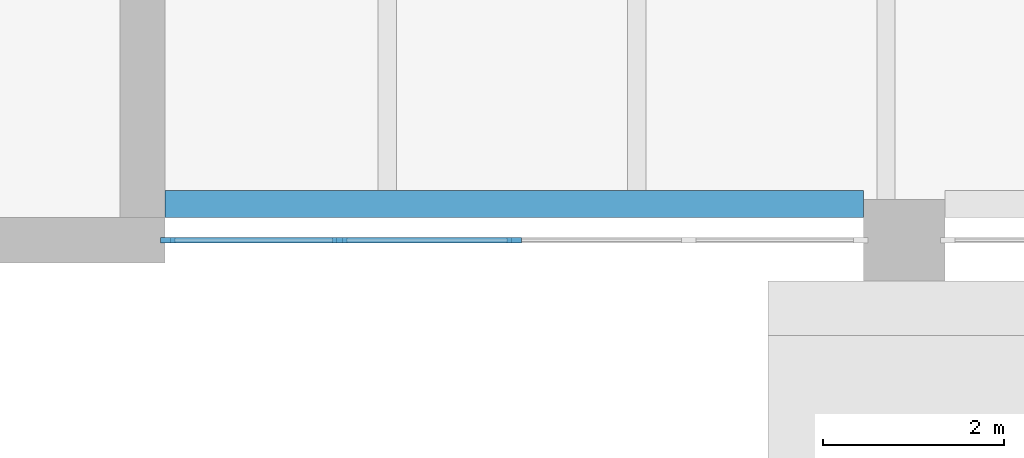
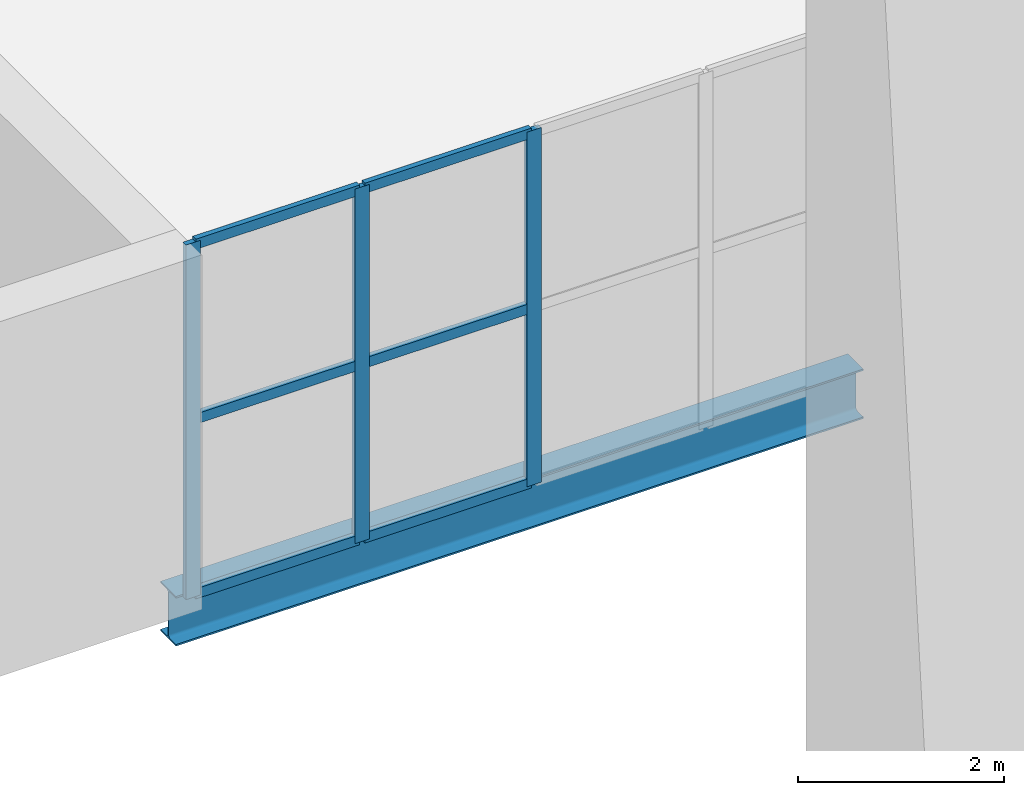
# One storey, part 21 of 100: 9 members, 1 beam, 1 element without a shape of its own.
"""IFC4 building model written with IfcOpenShell, lengths in metres."""

from ifc_helpers import new_model, si_unit, direction, frame, origin, origin_2d, place, context, subcontext, project, spatial, rectangle, i_section, extrude, material, layer, layer_set, material_profile, profile_set, type_object, element, aggregate, save


model = new_model("IFC4")

# Units and contexts
model_context = context("Model", 3, precision=1e-05, world=origin(), true_north=direction((0.0, 1.0)))
body_context = subcontext(model_context, "Body", "Model", "MODEL_VIEW")
ifc_project = project(units=[si_unit("LENGTHUNIT", "METRE"), si_unit("AREAUNIT", "SQUARE_METRE"), si_unit("VOLUMEUNIT", "CUBIC_METRE"), si_unit("PLANEANGLEUNIT", "RADIAN"), si_unit("MASSUNIT", "GRAM", prefix="KILO")], contexts=[model_context])

# Site, building, storey
site_placement = place(None, origin())
site = spatial("IfcSite", under=ifc_project, at=site_placement, CompositionType="ELEMENT")
building_placement = place(site_placement, origin())
building = spatial("IfcBuilding", under=site, at=building_placement, Name="Cresset Court Congress Hotel", CompositionType="ELEMENT")
storey_placement = place(building_placement, frame((0.0, 0.0, 10.199951171875)))
storey = spatial("IfcBuildingStorey", under=building, at=storey_placement, Name="L02", CompositionType="ELEMENT", Elevation=10.199951171875)

# Curtain wall, members
ifc_material_1 = material(Name="Aluminium and glass", Category="aluminium")
ifc_layer = layer(ifc_material_1, 0.199951171875)
ifc_layer_set = layer_set([ifc_layer], Name="Foyer curtain wall 1925 module")
curtain_wall_type = type_object("IfcCurtainWallType", Name="Foyer curtain wall 1925 module", PredefinedType="NOTDEFINED", material=ifc_layer_set)
curtain_wall_placement = place(storey_placement, origin())
curtain_wall = element("IfcCurtainWall", 1, at=curtain_wall_placement, inside=storey, type_object=curtain_wall_type, Name="Curtain wall CX-021", PredefinedType="NOTDEFINED")
ifc_material_2 = material(Name="Anodised aluminium", Category="aluminium")
ifc_material_profile_1 = material_profile(ifc_material_2, rectangle(XDim=0.06005859375, YDim=0.159912109375, at=origin_2d()), Name="AL60x160")
ifc_profile_set_1 = profile_set([ifc_material_profile_1], Name="Anodised aluminium")
member_type_1 = type_object("IfcMemberType", Name="Curtain wall mullion 60x160", PredefinedType="MULLION", material=ifc_profile_set_1)
member_1_placement = place(storey_placement, frame((67.47998046875, 58.800048828125, 0.0), z_axis=(0.0, 0.0, 1.0), x_axis=(0.0, 1.0, 0.0)))
member_1 = element("IfcMember", 2, at=member_1_placement, type_object=member_type_1, Name="C-X1 mullion 1", PredefinedType="MULLION", context=body_context, shape_type="SweptSolid", body=[
    extrude(rectangle(XDim=0.06005859375, YDim=0.159912109375, at=origin_2d()), origin(), (0.0, 0.0, 1.0), 4.199951171875),
])
member_2_placement = place(storey_placement, frame((69.375, 58.800048828125, 0.0), z_axis=(0.0, 0.0, 1.0), x_axis=(0.0, 1.0, 0.0)))
member_2 = element("IfcMember", 3, at=member_2_placement, type_object=member_type_1, Name="C-X1 mullion 2", PredefinedType="MULLION", context=body_context, shape_type="SweptSolid", body=[
    extrude(rectangle(XDim=0.06005859375, YDim=0.159912109375, at=origin_2d()), origin(), (0.0, 0.0, 1.0), 4.199951171875),
])
member_3_placement = place(storey_placement, frame((71.300048828125, 58.800048828125, 0.0), z_axis=(0.0, 0.0, 1.0), x_axis=(0.0, 1.0, 0.0)))
member_3 = element("IfcMember", 4, at=member_3_placement, type_object=member_type_1, Name="C-X1 mullion 3", PredefinedType="MULLION", context=body_context, shape_type="SweptSolid", body=[
    extrude(rectangle(XDim=0.06005859375, YDim=0.159912109375, at=origin_2d()), origin(), (0.0, 0.0, 1.0), 4.199951171875),
])
ifc_material_3 = material(Name="Anodised aluminium", Category="aluminium")
ifc_material_profile_2 = material_profile(ifc_material_3, rectangle(XDim=0.06005859375, YDim=0.1201171875, at=origin_2d()), Name="AL60x120")
ifc_profile_set_2 = profile_set([ifc_material_profile_2], Name="Anodised aluminium")
member_type_2 = type_object("IfcMemberType", Name="Curtain wall transom 60x120", PredefinedType="USERDEFINED", material=ifc_profile_set_2)
member_4_placement = place(storey_placement, frame((67.510009765625, 58.800048828125, 0.030029296875), z_axis=(1.0, 0.0, 0.0), x_axis=(0.0, 1.0, 0.0)))
member_4 = element("IfcMember", 5, at=member_4_placement, type_object=member_type_2, Name="C-X1 transom 1.1", ObjectType="TRANSOM", PredefinedType="USERDEFINED", context=body_context, shape_type="SweptSolid", body=[
    extrude(rectangle(XDim=0.06005859375, YDim=0.1201171875, at=origin_2d()), origin(), (0.0, 0.0, 1.0), 1.8349609375),
])
member_5_placement = place(storey_placement, frame((67.510009765625, 58.800048828125, 2.10009765625), z_axis=(1.0, 0.0, 0.0), x_axis=(0.0, 1.0, 0.0)))
member_5 = element("IfcMember", 6, at=member_5_placement, type_object=member_type_2, Name="C-X1 transom 1.2", ObjectType="TRANSOM", PredefinedType="USERDEFINED", context=body_context, shape_type="SweptSolid", body=[
    extrude(rectangle(XDim=0.06005859375, YDim=0.1201171875, at=origin_2d()), origin(), (0.0, 0.0, 1.0), 1.8349609375),
])
member_6_placement = place(storey_placement, frame((67.510009765625, 58.800048828125, 4.170166015625), z_axis=(1.0, 0.0, 0.0), x_axis=(0.0, 1.0, 0.0)))
member_6 = element("IfcMember", 7, at=member_6_placement, type_object=member_type_2, Name="C-X1 transom 1.3", ObjectType="TRANSOM", PredefinedType="USERDEFINED", context=body_context, shape_type="SweptSolid", body=[
    extrude(rectangle(XDim=0.06005859375, YDim=0.1201171875, at=origin_2d()), origin(), (0.0, 0.0, 1.0), 1.8349609375),
])
member_7_placement = place(storey_placement, frame((69.405029296875, 58.800048828125, 0.030029296875), z_axis=(1.0, 0.0, 0.0), x_axis=(0.0, 1.0, 0.0)))
member_7 = element("IfcMember", 8, at=member_7_placement, type_object=member_type_2, Name="C-X1 transom 2.1", ObjectType="TRANSOM", PredefinedType="USERDEFINED", context=body_context, shape_type="SweptSolid", body=[
    extrude(rectangle(XDim=0.06005859375, YDim=0.1201171875, at=origin_2d()), origin(), (0.0, 0.0, 1.0), 1.864990234375),
])
member_8_placement = place(storey_placement, frame((69.405029296875, 58.800048828125, 2.10009765625), z_axis=(1.0, 0.0, 0.0), x_axis=(0.0, 1.0, 0.0)))
member_8 = element("IfcMember", 9, at=member_8_placement, type_object=member_type_2, Name="C-X1 transom 2.2", ObjectType="TRANSOM", PredefinedType="USERDEFINED", context=body_context, shape_type="SweptSolid", body=[
    extrude(rectangle(XDim=0.06005859375, YDim=0.1201171875, at=origin_2d()), origin(), (0.0, 0.0, 1.0), 1.864990234375),
])
member_9_placement = place(storey_placement, frame((69.405029296875, 58.800048828125, 4.170166015625), z_axis=(1.0, 0.0, 0.0), x_axis=(0.0, 1.0, 0.0)))
member_9 = element("IfcMember", 10, at=member_9_placement, type_object=member_type_2, Name="C-X1 transom 2.3", ObjectType="TRANSOM", PredefinedType="USERDEFINED", context=body_context, shape_type="SweptSolid", body=[
    extrude(rectangle(XDim=0.06005859375, YDim=0.1201171875, at=origin_2d()), origin(), (0.0, 0.0, 1.0), 1.864990234375),
])
aggregate(curtain_wall, [member_1, member_2, member_3, member_4, member_5, member_6, member_7, member_8, member_9])

# Beam
ifc_material_4 = material(Name="Structural steel Q355B", Category="steel")
ifc_material_profile_3 = material_profile(ifc_material_4, i_section(OverallWidth=0.300048828125, OverallDepth=0.587890625, WebThickness=0.011962890625, FlangeThickness=0.02001953125, FilletRadius=0.028076171875, at=origin_2d()), Name="HM588x300x12x20")
ifc_profile_set_3 = profile_set([ifc_material_profile_3], Name="Structural steel Q355B")
beam_type = type_object("IfcBeamType", Name="Steel HM588x300x12x20 girder", PredefinedType="BEAM", material=ifc_profile_set_3)
beam_placement = place(storey_placement, frame((67.449951171875, 59.199951171875, -0.44384765625), z_axis=(1.0, 0.0, 0.0), x_axis=(0.0, 1.0, 0.0)))
element("IfcBeam", 11, at=beam_placement, inside=storey, type_object=beam_type, Name="Girder CG-F025", PredefinedType="BEAM", context=body_context, shape_type="SweptSolid", body=[
    extrude(i_section(OverallWidth=0.300048828125, OverallDepth=0.587890625, WebThickness=0.011962890625, FlangeThickness=0.02001953125, FilletRadius=0.028076171875, at=origin_2d()), origin(), (0.0, 0.0, 1.0), 7.699951171875),
])

save(model, "model.ifc")
